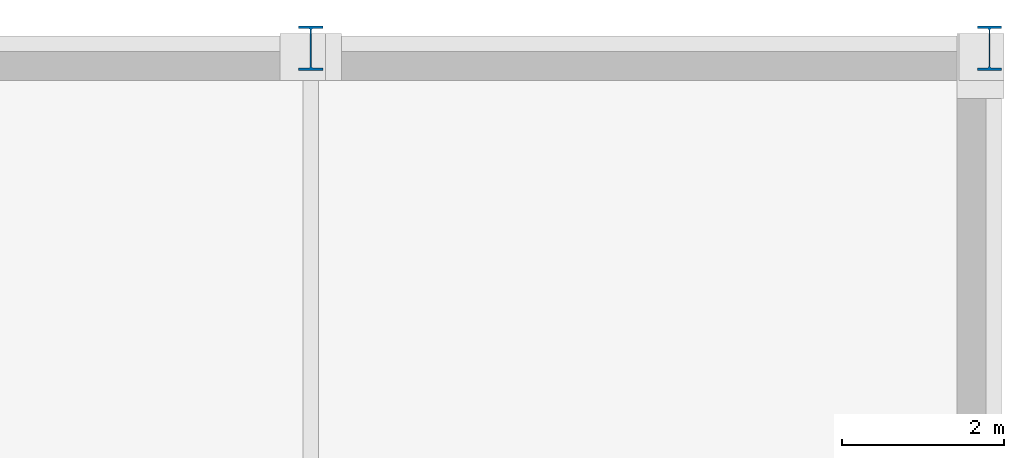
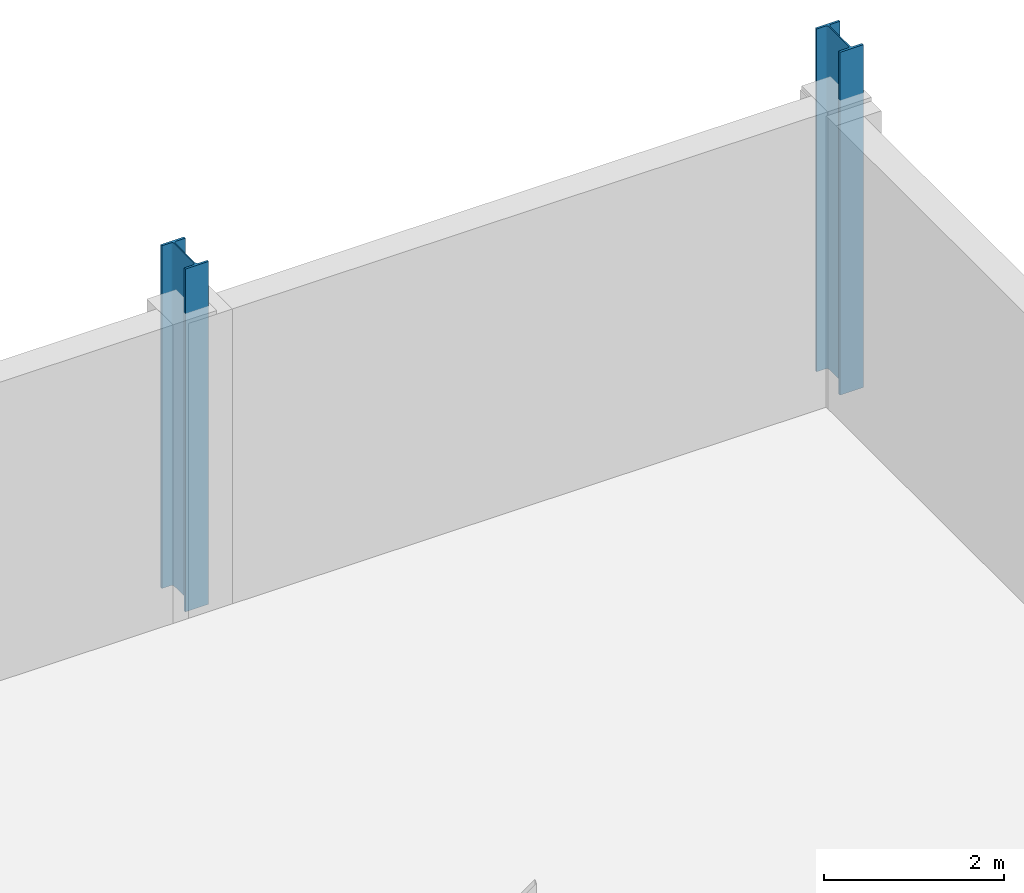
# One storey, part 23 of 98: 2 columns.
"""IFC4 building model written with IfcOpenShell, lengths in metres."""

from ifc_helpers import new_model, si_unit, direction, frame, origin, origin_2d, place, context, subcontext, project, spatial, i_section, extrude, material, material_profile, profile_set, type_object, element, save


model = new_model("IFC4")

# Units and contexts
model_context = context("Model", 3, precision=1e-05, world=origin(), true_north=direction((0.0, 1.0)))
body_context = subcontext(model_context, "Body", "Model", "MODEL_VIEW")
ifc_project = project(units=[si_unit("LENGTHUNIT", "METRE"), si_unit("AREAUNIT", "SQUARE_METRE"), si_unit("VOLUMEUNIT", "CUBIC_METRE"), si_unit("PLANEANGLEUNIT", "RADIAN"), si_unit("MASSUNIT", "GRAM", prefix="KILO")], contexts=[model_context])

# Site, building, storey
site_placement = place(None, origin())
site = spatial("IfcSite", under=ifc_project, at=site_placement, CompositionType="ELEMENT")
building_placement = place(site_placement, origin())
building = spatial("IfcBuilding", under=site, at=building_placement, Name="Nabrawat Pavilion Hospital", CompositionType="ELEMENT")
storey_placement = place(building_placement, frame((0.0, 0.0, 10.199951171875)))
storey = spatial("IfcBuildingStorey", under=building, at=storey_placement, Name="L02", CompositionType="ELEMENT", Elevation=10.199951171875)

# Columns
ifc_material = material(Name="Steel S355", Category="steel")
ifc_material_profile = material_profile(ifc_material, i_section(OverallWidth=0.300048828125, OverallDepth=0.550048828125, WebThickness=0.014892578125, FlangeThickness=0.029052734375, FilletRadius=0.027099609375, at=origin_2d()), Name="HEB 550")
ifc_profile_set = profile_set([ifc_material_profile], Name="Steel S355")
column_type = type_object("IfcColumnType", Name="Composite Steel Column HEB 550", PredefinedType="COLUMN", material=ifc_profile_set)
for number, where, z_axis, x_axis, name in (
    (1, (184.800048828125, 124.800048828125, 0.0), (0.0, 0.0, 1.0), (1.0, 0.0, 0.0), "L02 Structural Column G-23-S"),
    (2, (193.199951171875, 124.800048828125, 0.0), (0.0, 0.0, 1.0), (1.0, 0.0, 0.0), "L02 Structural Column G-24-S"),
):
    element("IfcColumn", number, at=place(storey_placement, frame(where, z_axis=z_axis, x_axis=x_axis)), inside=storey, type_object=column_type, Name=name, PredefinedType="COLUMN", context=body_context, shape_type="SweptSolid", body=[
        extrude(i_section(OverallWidth=0.300048828125, OverallDepth=0.550048828125, WebThickness=0.014892578125, FlangeThickness=0.029052734375, FilletRadius=0.027099609375, at=origin_2d()), origin(), (0.0, 0.0, 1.0), 4.650146484375),
    ])

save(model, "model.ifc")
